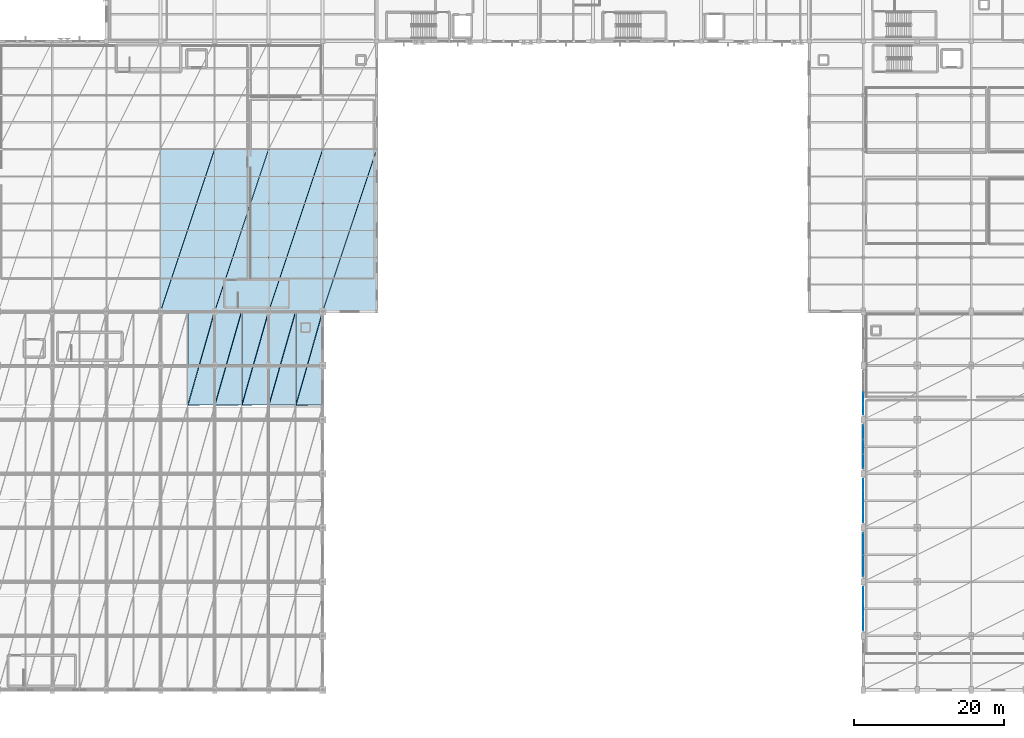
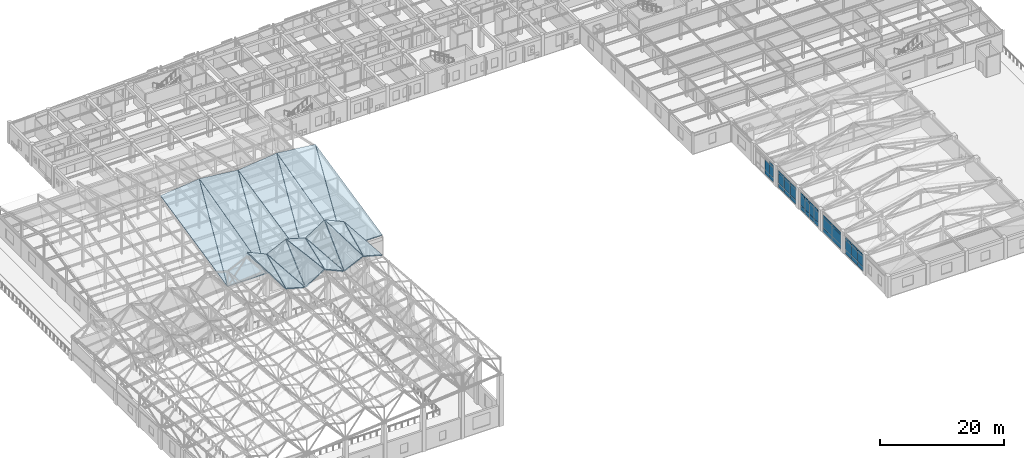
# One storey, part 67 of 113: 41 plates, 18 slabs, 5 elements without a shape of their own.
"""IFC4 building model written with IfcOpenShell, lengths in metres."""

from ifc_helpers import new_model, si_unit, direction, frame, origin, origin_2d, place, context, subcontext, project, spatial, polyline, rectangle, outline, extrude, material, layer, layer_set, type_object, element, aggregate, save


model = new_model("IFC4")

# Units and contexts
model_context = context("Model", 3, precision=1e-05, world=origin(), true_north=direction((0.0, 1.0)))
body_context = subcontext(model_context, "Body", "Model", "MODEL_VIEW")
ifc_project = project(units=[si_unit("LENGTHUNIT", "METRE"), si_unit("AREAUNIT", "SQUARE_METRE"), si_unit("VOLUMEUNIT", "CUBIC_METRE"), si_unit("PLANEANGLEUNIT", "RADIAN"), si_unit("MASSUNIT", "GRAM", prefix="KILO")], contexts=[model_context])

# Site, building, storey
site_placement = place(None, origin())
site = spatial("IfcSite", under=ifc_project, at=site_placement, CompositionType="ELEMENT")
building_placement = place(site_placement, origin())
building = spatial("IfcBuilding", under=site, at=building_placement, Name="Carrowvane Square Congress Hotel", CompositionType="ELEMENT")
storey_placement = place(building_placement, frame((0.0, 0.0, 15.0)))
storey = spatial("IfcBuildingStorey", under=building, at=storey_placement, Name="L03", CompositionType="ELEMENT", Elevation=15.0)

# Curtain wall, plates
ifc_material_1 = material(Name="Anodised aluminium", Category="aluminium")
ifc_layer_1 = layer(ifc_material_1, 0.221923828125)
ifc_layer_set_1 = layer_set([ifc_layer_1], Name="Anodised aluminium")
curtain_wall_type_1 = type_object("IfcCurtainWallType", Name="CW-SYS-6", PredefinedType="NOTDEFINED", material=ifc_layer_set_1)
curtain_wall_1_placement = place(storey_placement, origin())
curtain_wall_1 = element("IfcCurtainWall", 1, at=curtain_wall_1_placement, inside=storey, type_object=curtain_wall_type_1, Name="L03 unitised curtain wall 245", PredefinedType="NOTDEFINED")
ifc_material_2 = material(Name="Double-glazed low-E glass", Category="glass")
ifc_layer_2 = layer(ifc_material_2, 0.028076171875)
ifc_layer_set_2 = layer_set([ifc_layer_2], Name="Double-glazed low-E glass")
plate_type_1 = type_object("IfcPlateType", Name="CW-PAN-1", PredefinedType="CURTAIN_PANEL", material=ifc_layer_set_2)
plate_1_placement = place(storey_placement, frame((134.0, 35.87744140625, 0.070068359375), z_axis=(0.0, 0.0, 1.0), x_axis=(0.0, 1.0, 0.0)))
plate_1 = element("IfcPlate", 2, at=plate_1_placement, type_object=plate_type_1, Name="CW-6 panel 1.1", PredefinedType="CURTAIN_PANEL", context=body_context, shape_type="SweptSolid", body=[
    extrude(rectangle(XDim=1.8349609375, YDim=0.028076171875, at=origin_2d()), origin(), (0.0, 0.0, 1.0), 0.794921875),
])
plate_2_placement = place(storey_placement, frame((134.0, 35.87744140625, 0.93505859375), z_axis=(0.0, 0.0, 1.0), x_axis=(0.0, 1.0, 0.0)))
plate_2 = element("IfcPlate", 3, at=plate_2_placement, type_object=plate_type_1, Name="CW-6 panel 1.2", PredefinedType="CURTAIN_PANEL", context=body_context, shape_type="SweptSolid", body=[
    extrude(rectangle(XDim=1.8349609375, YDim=0.028076171875, at=origin_2d()), origin(), (0.0, 0.0, 1.0), 1.945068359375),
])
plate_3_placement = place(storey_placement, frame((134.0, 35.87744140625, 2.9501953125), z_axis=(0.0, 0.0, 1.0), x_axis=(0.0, 1.0, 0.0)))
plate_3 = element("IfcPlate", 4, at=plate_3_placement, type_object=plate_type_1, Name="CW-6 panel 1.3", PredefinedType="CURTAIN_PANEL", context=body_context, shape_type="SweptSolid", body=[
    extrude(rectangle(XDim=1.8349609375, YDim=0.028076171875, at=origin_2d()), origin(), (0.0, 0.0, 1.0), 0.445068359375),
])
plate_4_placement = place(storey_placement, frame((134.0, 37.800048828125, 0.070068359375), z_axis=(0.0, 0.0, 1.0), x_axis=(0.0, 1.0, 0.0)))
plate_4 = element("IfcPlate", 5, at=plate_4_placement, type_object=plate_type_1, Name="CW-6 panel 2.1", PredefinedType="CURTAIN_PANEL", context=body_context, shape_type="SweptSolid", body=[
    extrude(rectangle(XDim=1.8701171875, YDim=0.028076171875, at=origin_2d()), origin(), (0.0, 0.0, 1.0), 0.794921875),
])
plate_5_placement = place(storey_placement, frame((134.0, 37.800048828125, 0.93505859375), z_axis=(0.0, 0.0, 1.0), x_axis=(0.0, 1.0, 0.0)))
plate_5 = element("IfcPlate", 6, at=plate_5_placement, type_object=plate_type_1, Name="CW-6 panel 2.2", PredefinedType="CURTAIN_PANEL", context=body_context, shape_type="SweptSolid", body=[
    extrude(rectangle(XDim=1.8701171875, YDim=0.028076171875, at=origin_2d()), origin(), (0.0, 0.0, 1.0), 1.945068359375),
])
plate_6_placement = place(storey_placement, frame((134.0, 37.800048828125, 2.9501953125), z_axis=(0.0, 0.0, 1.0), x_axis=(0.0, 1.0, 0.0)))
plate_6 = element("IfcPlate", 7, at=plate_6_placement, type_object=plate_type_1, Name="CW-6 panel 2.3", PredefinedType="CURTAIN_PANEL", context=body_context, shape_type="SweptSolid", body=[
    extrude(rectangle(XDim=1.8701171875, YDim=0.028076171875, at=origin_2d()), origin(), (0.0, 0.0, 1.0), 0.445068359375),
])
plate_7_placement = place(storey_placement, frame((134.0, 39.722412109375, 0.070068359375), z_axis=(0.0, 0.0, 1.0), x_axis=(0.0, 1.0, 0.0)))
plate_7 = element("IfcPlate", 8, at=plate_7_placement, type_object=plate_type_1, Name="CW-6 panel 3.1", PredefinedType="CURTAIN_PANEL", context=body_context, shape_type="SweptSolid", body=[
    extrude(rectangle(XDim=1.8349609375, YDim=0.028076171875, at=origin_2d()), origin(), (0.0, 0.0, 1.0), 0.794921875),
])
plate_8_placement = place(storey_placement, frame((134.0, 39.722412109375, 0.93505859375), z_axis=(0.0, 0.0, 1.0), x_axis=(0.0, 1.0, 0.0)))
plate_8 = element("IfcPlate", 9, at=plate_8_placement, type_object=plate_type_1, Name="CW-6 panel 3.2", PredefinedType="CURTAIN_PANEL", context=body_context, shape_type="SweptSolid", body=[
    extrude(rectangle(XDim=1.8349609375, YDim=0.028076171875, at=origin_2d()), origin(), (0.0, 0.0, 1.0), 1.945068359375),
])
plate_9_placement = place(storey_placement, frame((134.0, 39.722412109375, 2.9501953125), z_axis=(0.0, 0.0, 1.0), x_axis=(0.0, 1.0, 0.0)))
plate_9 = element("IfcPlate", 10, at=plate_9_placement, type_object=plate_type_1, Name="CW-6 panel 3.3", PredefinedType="CURTAIN_PANEL", context=body_context, shape_type="SweptSolid", body=[
    extrude(rectangle(XDim=1.8349609375, YDim=0.028076171875, at=origin_2d()), origin(), (0.0, 0.0, 1.0), 0.445068359375),
])
aggregate(curtain_wall_1, [plate_1, plate_2, plate_3, plate_4, plate_5, plate_6, plate_7, plate_8, plate_9])

ifc_material_3 = material(Name="Anodised aluminium", Category="aluminium")
ifc_layer_3 = layer(ifc_material_3, 0.23388671875)
ifc_layer_set_3 = layer_set([ifc_layer_3], Name="Anodised aluminium")
curtain_wall_type_2 = type_object("IfcCurtainWallType", Name="CW-SYS-7", PredefinedType="NOTDEFINED", material=ifc_layer_set_3)
curtain_wall_2_placement = place(storey_placement, origin())
curtain_wall_2 = element("IfcCurtainWall", 11, at=curtain_wall_2_placement, inside=storey, type_object=curtain_wall_type_2, Name="L03 unitised curtain wall 246", PredefinedType="NOTDEFINED")
ifc_material_4 = material(Name="Double-glazed low-E glass", Category="glass")
ifc_layer_4 = layer(ifc_material_4, 0.031982421875)
ifc_layer_set_4 = layer_set([ifc_layer_4], Name="Double-glazed low-E glass")
plate_type_2 = type_object("IfcPlateType", Name="CW-PAN-2", PredefinedType="CURTAIN_PANEL", material=ifc_layer_set_4)
plate_10_placement = place(storey_placement, frame((134.0, 42.83251953125, 0.06005859375), z_axis=(0.0, 0.0, 1.0), x_axis=(0.0, 1.0, 0.0)))
plate_10 = element("IfcPlate", 12, at=plate_10_placement, type_object=plate_type_2, Name="CW-7 panel 1.1", PredefinedType="CURTAIN_PANEL", context=body_context, shape_type="SweptSolid", body=[
    extrude(rectangle(XDim=1.364990234375, YDim=0.031982421875, at=origin_2d()), origin(), (0.0, 0.0, 1.0), 0.81005859375),
])
plate_11_placement = place(storey_placement, frame((134.0, 42.83251953125, 0.929931640625), z_axis=(0.0, 0.0, 1.0), x_axis=(0.0, 1.0, 0.0)))
plate_11 = element("IfcPlate", 13, at=plate_11_placement, type_object=plate_type_2, Name="CW-7 panel 1.2", PredefinedType="CURTAIN_PANEL", context=body_context, shape_type="SweptSolid", body=[
    extrude(rectangle(XDim=1.364990234375, YDim=0.031982421875, at=origin_2d()), origin(), (0.0, 0.0, 1.0), 1.955078125),
])
plate_12_placement = place(storey_placement, frame((134.0, 42.83251953125, 2.945068359375), z_axis=(0.0, 0.0, 1.0), x_axis=(0.0, 1.0, 0.0)))
plate_12 = element("IfcPlate", 14, at=plate_12_placement, type_object=plate_type_2, Name="CW-7 panel 1.3", PredefinedType="CURTAIN_PANEL", context=body_context, shape_type="SweptSolid", body=[
    extrude(rectangle(XDim=1.364990234375, YDim=0.031982421875, at=origin_2d()), origin(), (0.0, 0.0, 1.0), 0.4599609375),
])
plate_13_placement = place(storey_placement, frame((134.0, 44.2724609375, 0.06005859375), z_axis=(0.0, 0.0, 1.0), x_axis=(0.0, 1.0, 0.0)))
plate_13 = element("IfcPlate", 15, at=plate_13_placement, type_object=plate_type_2, Name="CW-7 panel 2.1", PredefinedType="CURTAIN_PANEL", context=body_context, shape_type="SweptSolid", body=[
    extrude(rectangle(XDim=1.39501953125, YDim=0.031982421875, at=origin_2d()), origin(), (0.0, 0.0, 1.0), 0.81005859375),
])
plate_14_placement = place(storey_placement, frame((134.0, 44.2724609375, 0.929931640625), z_axis=(0.0, 0.0, 1.0), x_axis=(0.0, 1.0, 0.0)))
plate_14 = element("IfcPlate", 16, at=plate_14_placement, type_object=plate_type_2, Name="CW-7 panel 2.2", PredefinedType="CURTAIN_PANEL", context=body_context, shape_type="SweptSolid", body=[
    extrude(rectangle(XDim=1.39501953125, YDim=0.031982421875, at=origin_2d()), origin(), (0.0, 0.0, 1.0), 1.955078125),
])
aggregate(curtain_wall_2, [plate_10, plate_11, plate_12, plate_13, plate_14])

ifc_material_5 = material(Name="Anodised aluminium", Category="aluminium")
ifc_layer_5 = layer(ifc_material_5, 0.18603515625)
ifc_layer_set_5 = layer_set([ifc_layer_5], Name="Anodised aluminium")
curtain_wall_type_3 = type_object("IfcCurtainWallType", Name="CW-SYS-3", PredefinedType="NOTDEFINED", material=ifc_layer_set_5)
curtain_wall_3_placement = place(storey_placement, origin())
curtain_wall_3 = element("IfcCurtainWall", 17, at=curtain_wall_3_placement, inside=storey, type_object=curtain_wall_type_3, Name="L03 unitised curtain wall 242", PredefinedType="NOTDEFINED")
ifc_material_6 = material(Name="Double-glazed low-E glass", Category="glass")
ifc_layer_6 = layer(ifc_material_6, 0.035888671875)
ifc_layer_set_6 = layer_set([ifc_layer_6], Name="Double-glazed low-E glass")
plate_type_3 = type_object("IfcPlateType", Name="CW-PAN-3", PredefinedType="CURTAIN_PANEL", material=ifc_layer_set_6)
plate_15_placement = place(storey_placement, frame((134.0, 14.27490234375, 0.06005859375), z_axis=(0.0, 0.0, 1.0), x_axis=(0.0, 1.0, 0.0)))
plate_15 = element("IfcPlate", 18, at=plate_15_placement, type_object=plate_type_3, Name="CW-3 panel 1.1", PredefinedType="CURTAIN_PANEL", context=body_context, shape_type="SweptSolid", body=[
    extrude(rectangle(XDim=1.85009765625, YDim=0.035888671875, at=origin_2d()), origin(), (0.0, 0.0, 1.0), 0.81005859375),
])
plate_16_placement = place(storey_placement, frame((134.0, 14.27490234375, 0.929931640625), z_axis=(0.0, 0.0, 1.0), x_axis=(0.0, 1.0, 0.0)))
plate_16 = element("IfcPlate", 19, at=plate_16_placement, type_object=plate_type_3, Name="CW-3 panel 1.2", PredefinedType="CURTAIN_PANEL", context=body_context, shape_type="SweptSolid", body=[
    extrude(rectangle(XDim=1.85009765625, YDim=0.035888671875, at=origin_2d()), origin(), (0.0, 0.0, 1.0), 1.955078125),
])
plate_17_placement = place(storey_placement, frame((134.0, 14.27490234375, 2.945068359375), z_axis=(0.0, 0.0, 1.0), x_axis=(0.0, 1.0, 0.0)))
plate_17 = element("IfcPlate", 20, at=plate_17_placement, type_object=plate_type_3, Name="CW-3 panel 1.3", PredefinedType="CURTAIN_PANEL", context=body_context, shape_type="SweptSolid", body=[
    extrude(rectangle(XDim=1.85009765625, YDim=0.035888671875, at=origin_2d()), origin(), (0.0, 0.0, 1.0), 0.4599609375),
])
plate_18_placement = place(storey_placement, frame((134.0, 16.199951171875, 0.06005859375), z_axis=(0.0, 0.0, 1.0), x_axis=(0.0, 1.0, 0.0)))
plate_18 = element("IfcPlate", 21, at=plate_18_placement, type_object=plate_type_3, Name="CW-3 panel 2.1", PredefinedType="CURTAIN_PANEL", context=body_context, shape_type="SweptSolid", body=[
    extrude(rectangle(XDim=1.8798828125, YDim=0.035888671875, at=origin_2d()), origin(), (0.0, 0.0, 1.0), 0.81005859375),
])
plate_19_placement = place(storey_placement, frame((134.0, 16.199951171875, 0.929931640625), z_axis=(0.0, 0.0, 1.0), x_axis=(0.0, 1.0, 0.0)))
plate_19 = element("IfcPlate", 22, at=plate_19_placement, type_object=plate_type_3, Name="CW-3 panel 2.2", PredefinedType="CURTAIN_PANEL", context=body_context, shape_type="SweptSolid", body=[
    extrude(rectangle(XDim=1.8798828125, YDim=0.035888671875, at=origin_2d()), origin(), (0.0, 0.0, 1.0), 1.955078125),
])
plate_20_placement = place(storey_placement, frame((134.0, 16.199951171875, 2.945068359375), z_axis=(0.0, 0.0, 1.0), x_axis=(0.0, 1.0, 0.0)))
plate_20 = element("IfcPlate", 23, at=plate_20_placement, type_object=plate_type_3, Name="CW-3 panel 2.3", PredefinedType="CURTAIN_PANEL", context=body_context, shape_type="SweptSolid", body=[
    extrude(rectangle(XDim=1.8798828125, YDim=0.035888671875, at=origin_2d()), origin(), (0.0, 0.0, 1.0), 0.4599609375),
])
plate_21_placement = place(storey_placement, frame((134.0, 18.125, 0.06005859375), z_axis=(0.0, 0.0, 1.0), x_axis=(0.0, 1.0, 0.0)))
plate_21 = element("IfcPlate", 24, at=plate_21_placement, type_object=plate_type_3, Name="CW-3 panel 3.1", PredefinedType="CURTAIN_PANEL", context=body_context, shape_type="SweptSolid", body=[
    extrude(rectangle(XDim=1.85009765625, YDim=0.035888671875, at=origin_2d()), origin(), (0.0, 0.0, 1.0), 0.81005859375),
])
plate_22_placement = place(storey_placement, frame((134.0, 18.125, 0.929931640625), z_axis=(0.0, 0.0, 1.0), x_axis=(0.0, 1.0, 0.0)))
plate_22 = element("IfcPlate", 25, at=plate_22_placement, type_object=plate_type_3, Name="CW-3 panel 3.2", PredefinedType="CURTAIN_PANEL", context=body_context, shape_type="SweptSolid", body=[
    extrude(rectangle(XDim=1.85009765625, YDim=0.035888671875, at=origin_2d()), origin(), (0.0, 0.0, 1.0), 1.955078125),
])
plate_23_placement = place(storey_placement, frame((134.0, 18.125, 2.945068359375), z_axis=(0.0, 0.0, 1.0), x_axis=(0.0, 1.0, 0.0)))
plate_23 = element("IfcPlate", 26, at=plate_23_placement, type_object=plate_type_3, Name="CW-3 panel 3.3", PredefinedType="CURTAIN_PANEL", context=body_context, shape_type="SweptSolid", body=[
    extrude(rectangle(XDim=1.85009765625, YDim=0.035888671875, at=origin_2d()), origin(), (0.0, 0.0, 1.0), 0.4599609375),
])
aggregate(curtain_wall_3, [plate_15, plate_16, plate_17, plate_18, plate_19, plate_20, plate_21, plate_22, plate_23])

ifc_material_7 = material(Name="Anodised aluminium", Category="aluminium")
ifc_layer_7 = layer(ifc_material_7, 0.197998046875)
ifc_layer_set_7 = layer_set([ifc_layer_7], Name="Anodised aluminium")
curtain_wall_type_4 = type_object("IfcCurtainWallType", Name="CW-SYS-4", PredefinedType="NOTDEFINED", material=ifc_layer_set_7)
curtain_wall_4_placement = place(storey_placement, origin())
curtain_wall_4 = element("IfcCurtainWall", 27, at=curtain_wall_4_placement, inside=storey, type_object=curtain_wall_type_4, Name="L03 unitised curtain wall 243", PredefinedType="NOTDEFINED")
ifc_material_8 = material(Name="Double-glazed low-E glass", Category="glass")
ifc_layer_8 = layer(ifc_material_8, 0.0419921875)
ifc_layer_set_8 = layer_set([ifc_layer_8], Name="Double-glazed low-E glass")
plate_type_4 = type_object("IfcPlateType", Name="CW-PAN-4", PredefinedType="CURTAIN_PANEL", material=ifc_layer_set_8)
plate_24_placement = place(storey_placement, frame((134.0, 21.96240234375, 0.070068359375), z_axis=(0.0, 0.0, 1.0), x_axis=(0.0, 1.0, 0.0)))
plate_24 = element("IfcPlate", 28, at=plate_24_placement, type_object=plate_type_4, Name="CW-4 panel 1.1", PredefinedType="CURTAIN_PANEL", context=body_context, shape_type="SweptSolid", body=[
    extrude(rectangle(XDim=2.804931640625, YDim=0.0419921875, at=origin_2d()), origin(), (0.0, 0.0, 1.0), 0.794921875),
])
plate_25_placement = place(storey_placement, frame((134.0, 21.96240234375, 0.93505859375), z_axis=(0.0, 0.0, 1.0), x_axis=(0.0, 1.0, 0.0)))
plate_25 = element("IfcPlate", 29, at=plate_25_placement, type_object=plate_type_4, Name="CW-4 panel 1.2", PredefinedType="CURTAIN_PANEL", context=body_context, shape_type="SweptSolid", body=[
    extrude(rectangle(XDim=2.804931640625, YDim=0.0419921875, at=origin_2d()), origin(), (0.0, 0.0, 1.0), 1.945068359375),
])
plate_26_placement = place(storey_placement, frame((134.0, 21.96240234375, 2.9501953125), z_axis=(0.0, 0.0, 1.0), x_axis=(0.0, 1.0, 0.0)))
plate_26 = element("IfcPlate", 30, at=plate_26_placement, type_object=plate_type_4, Name="CW-4 panel 1.3", PredefinedType="CURTAIN_PANEL", context=body_context, shape_type="SweptSolid", body=[
    extrude(rectangle(XDim=2.804931640625, YDim=0.0419921875, at=origin_2d()), origin(), (0.0, 0.0, 1.0), 0.445068359375),
])
plate_27_placement = place(storey_placement, frame((134.0, 24.83740234375, 0.070068359375), z_axis=(0.0, 0.0, 1.0), x_axis=(0.0, 1.0, 0.0)))
plate_27 = element("IfcPlate", 31, at=plate_27_placement, type_object=plate_type_4, Name="CW-4 panel 2.1", PredefinedType="CURTAIN_PANEL", context=body_context, shape_type="SweptSolid", body=[
    extrude(rectangle(XDim=2.804931640625, YDim=0.0419921875, at=origin_2d()), origin(), (0.0, 0.0, 1.0), 0.794921875),
])
plate_28_placement = place(storey_placement, frame((134.0, 24.83740234375, 0.93505859375), z_axis=(0.0, 0.0, 1.0), x_axis=(0.0, 1.0, 0.0)))
plate_28 = element("IfcPlate", 32, at=plate_28_placement, type_object=plate_type_4, Name="CW-4 panel 2.2", PredefinedType="CURTAIN_PANEL", context=body_context, shape_type="SweptSolid", body=[
    extrude(rectangle(XDim=2.804931640625, YDim=0.0419921875, at=origin_2d()), origin(), (0.0, 0.0, 1.0), 1.945068359375),
])
plate_29_placement = place(storey_placement, frame((134.0, 24.83740234375, 2.9501953125), z_axis=(0.0, 0.0, 1.0), x_axis=(0.0, 1.0, 0.0)))
plate_29 = element("IfcPlate", 33, at=plate_29_placement, type_object=plate_type_4, Name="CW-4 panel 2.3", PredefinedType="CURTAIN_PANEL", context=body_context, shape_type="SweptSolid", body=[
    extrude(rectangle(XDim=2.804931640625, YDim=0.0419921875, at=origin_2d()), origin(), (0.0, 0.0, 1.0), 0.445068359375),
])
aggregate(curtain_wall_4, [plate_24, plate_25, plate_26, plate_27, plate_28, plate_29])

ifc_material_9 = material(Name="Anodised aluminium", Category="aluminium")
ifc_layer_9 = layer(ifc_material_9, 0.2099609375)
ifc_layer_set_9 = layer_set([ifc_layer_9], Name="Anodised aluminium")
curtain_wall_type_5 = type_object("IfcCurtainWallType", Name="CW-SYS-5", PredefinedType="NOTDEFINED", material=ifc_layer_set_9)
curtain_wall_5_placement = place(storey_placement, origin())
curtain_wall_5 = element("IfcCurtainWall", 34, at=curtain_wall_5_placement, inside=storey, type_object=curtain_wall_type_5, Name="L03 unitised curtain wall 244", PredefinedType="NOTDEFINED")
ifc_material_10 = material(Name="Double-glazed low-E glass", Category="glass")
ifc_layer_10 = layer(ifc_material_10, 0.048095703125)
ifc_layer_set_10 = layer_set([ifc_layer_10], Name="Double-glazed low-E glass")
plate_type_5 = type_object("IfcPlateType", Name="CW-PAN-5", PredefinedType="CURTAIN_PANEL", material=ifc_layer_set_10)
plate_30_placement = place(storey_placement, frame((134.0, 28.4326171875, 0.06005859375), z_axis=(0.0, 0.0, 1.0), x_axis=(0.0, 1.0, 0.0)))
plate_30 = element("IfcPlate", 35, at=plate_30_placement, type_object=plate_type_5, Name="CW-5 panel 1.1", PredefinedType="CURTAIN_PANEL", context=body_context, shape_type="SweptSolid", body=[
    extrude(rectangle(XDim=1.364990234375, YDim=0.048095703125, at=origin_2d()), origin(), (0.0, 0.0, 1.0), 0.81005859375),
])
plate_31_placement = place(storey_placement, frame((134.0, 28.4326171875, 0.929931640625), z_axis=(0.0, 0.0, 1.0), x_axis=(0.0, 1.0, 0.0)))
plate_31 = element("IfcPlate", 36, at=plate_31_placement, type_object=plate_type_5, Name="CW-5 panel 1.2", PredefinedType="CURTAIN_PANEL", context=body_context, shape_type="SweptSolid", body=[
    extrude(rectangle(XDim=1.364990234375, YDim=0.048095703125, at=origin_2d()), origin(), (0.0, 0.0, 1.0), 1.955078125),
])
plate_32_placement = place(storey_placement, frame((134.0, 28.4326171875, 2.945068359375), z_axis=(0.0, 0.0, 1.0), x_axis=(0.0, 1.0, 0.0)))
plate_32 = element("IfcPlate", 37, at=plate_32_placement, type_object=plate_type_5, Name="CW-5 panel 1.3", PredefinedType="CURTAIN_PANEL", context=body_context, shape_type="SweptSolid", body=[
    extrude(rectangle(XDim=1.364990234375, YDim=0.048095703125, at=origin_2d()), origin(), (0.0, 0.0, 1.0), 0.4599609375),
])
plate_33_placement = place(storey_placement, frame((134.0, 29.87255859375, 0.06005859375), z_axis=(0.0, 0.0, 1.0), x_axis=(0.0, 1.0, 0.0)))
plate_33 = element("IfcPlate", 38, at=plate_33_placement, type_object=plate_type_5, Name="CW-5 panel 2.1", PredefinedType="CURTAIN_PANEL", context=body_context, shape_type="SweptSolid", body=[
    extrude(rectangle(XDim=1.39501953125, YDim=0.048095703125, at=origin_2d()), origin(), (0.0, 0.0, 1.0), 0.81005859375),
])
plate_34_placement = place(storey_placement, frame((134.0, 29.87255859375, 0.929931640625), z_axis=(0.0, 0.0, 1.0), x_axis=(0.0, 1.0, 0.0)))
plate_34 = element("IfcPlate", 39, at=plate_34_placement, type_object=plate_type_5, Name="CW-5 panel 2.2", PredefinedType="CURTAIN_PANEL", context=body_context, shape_type="SweptSolid", body=[
    extrude(rectangle(XDim=1.39501953125, YDim=0.048095703125, at=origin_2d()), origin(), (0.0, 0.0, 1.0), 1.955078125),
])
plate_35_placement = place(storey_placement, frame((134.0, 29.87255859375, 2.945068359375), z_axis=(0.0, 0.0, 1.0), x_axis=(0.0, 1.0, 0.0)))
plate_35 = element("IfcPlate", 40, at=plate_35_placement, type_object=plate_type_5, Name="CW-5 panel 2.3", PredefinedType="CURTAIN_PANEL", context=body_context, shape_type="SweptSolid", body=[
    extrude(rectangle(XDim=1.39501953125, YDim=0.048095703125, at=origin_2d()), origin(), (0.0, 0.0, 1.0), 0.4599609375),
])
plate_36_placement = place(storey_placement, frame((134.0, 31.327392578125, 0.06005859375), z_axis=(0.0, 0.0, 1.0), x_axis=(0.0, 1.0, 0.0)))
plate_36 = element("IfcPlate", 41, at=plate_36_placement, type_object=plate_type_5, Name="CW-5 panel 3.1", PredefinedType="CURTAIN_PANEL", context=body_context, shape_type="SweptSolid", body=[
    extrude(rectangle(XDim=1.39501953125, YDim=0.048095703125, at=origin_2d()), origin(), (0.0, 0.0, 1.0), 0.81005859375),
])
plate_37_placement = place(storey_placement, frame((134.0, 31.327392578125, 0.929931640625), z_axis=(0.0, 0.0, 1.0), x_axis=(0.0, 1.0, 0.0)))
plate_37 = element("IfcPlate", 42, at=plate_37_placement, type_object=plate_type_5, Name="CW-5 panel 3.2", PredefinedType="CURTAIN_PANEL", context=body_context, shape_type="SweptSolid", body=[
    extrude(rectangle(XDim=1.39501953125, YDim=0.048095703125, at=origin_2d()), origin(), (0.0, 0.0, 1.0), 1.955078125),
])
plate_38_placement = place(storey_placement, frame((134.0, 31.327392578125, 2.945068359375), z_axis=(0.0, 0.0, 1.0), x_axis=(0.0, 1.0, 0.0)))
plate_38 = element("IfcPlate", 43, at=plate_38_placement, type_object=plate_type_5, Name="CW-5 panel 3.3", PredefinedType="CURTAIN_PANEL", context=body_context, shape_type="SweptSolid", body=[
    extrude(rectangle(XDim=1.39501953125, YDim=0.048095703125, at=origin_2d()), origin(), (0.0, 0.0, 1.0), 0.4599609375),
])
plate_39_placement = place(storey_placement, frame((134.0, 32.767578125, 0.06005859375), z_axis=(0.0, 0.0, 1.0), x_axis=(0.0, 1.0, 0.0)))
plate_39 = element("IfcPlate", 44, at=plate_39_placement, type_object=plate_type_5, Name="CW-5 panel 4.1", PredefinedType="CURTAIN_PANEL", context=body_context, shape_type="SweptSolid", body=[
    extrude(rectangle(XDim=1.364990234375, YDim=0.048095703125, at=origin_2d()), origin(), (0.0, 0.0, 1.0), 0.81005859375),
])
plate_40_placement = place(storey_placement, frame((134.0, 32.767578125, 0.929931640625), z_axis=(0.0, 0.0, 1.0), x_axis=(0.0, 1.0, 0.0)))
plate_40 = element("IfcPlate", 45, at=plate_40_placement, type_object=plate_type_5, Name="CW-5 panel 4.2", PredefinedType="CURTAIN_PANEL", context=body_context, shape_type="SweptSolid", body=[
    extrude(rectangle(XDim=1.364990234375, YDim=0.048095703125, at=origin_2d()), origin(), (0.0, 0.0, 1.0), 1.955078125),
])
plate_41_placement = place(storey_placement, frame((134.0, 32.767578125, 2.945068359375), z_axis=(0.0, 0.0, 1.0), x_axis=(0.0, 1.0, 0.0)))
plate_41 = element("IfcPlate", 46, at=plate_41_placement, type_object=plate_type_5, Name="CW-5 panel 4.3", PredefinedType="CURTAIN_PANEL", context=body_context, shape_type="SweptSolid", body=[
    extrude(rectangle(XDim=1.364990234375, YDim=0.048095703125, at=origin_2d()), origin(), (0.0, 0.0, 1.0), 0.4599609375),
])
aggregate(curtain_wall_5, [plate_30, plate_31, plate_32, plate_33, plate_34, plate_35, plate_36, plate_37, plate_38, plate_39, plate_40, plate_41])

# Slabs
ifc_material_11 = material(Name="Concrete C35/45", Category="concrete")
ifc_layer_11 = layer(ifc_material_11, 0.179931640625)
ifc_layer_set_11 = layer_set([ifc_layer_11], Name="Concrete C35/45")
slab_type_1 = type_object("IfcSlabType", Name="SLB-ROOF-180", PredefinedType="ROOF", material=ifc_layer_set_11)
slab_1_placement = place(storey_placement, frame((44.072021484375, 43.325927734375, 10.07666015625), z_axis=(0.272163035949, 0.076115657988, 0.959235992064), x_axis=(0.961943040653, 0.003703147423, -0.273224949882)))
element("IfcSlab", 47, at=slab_1_placement, inside=storey, type_object=slab_type_1, Name="Congress Hall triangular folded roof facet 79", PredefinedType="ROOF", context=body_context, shape_type="SweptSolid", body=[
    extrude(outline(polyline([(0.0, 0.0), (3.6260328958842347, 1.3877787807814457e-17), (3.958988604411846, 12.351823323029821), (0.0, 0.0)])), origin(), (0.0, 0.0, -1.0), 0.179931640625),
])
slab_2_placement = place(storey_placement, frame((44.0205078125, 43.343505859375, 10.09326171875), z_axis=(0.410492827908, 0.028929866933, 0.911404795376), x_axis=(0.27042851675, 0.950669079624, -0.151976045398)))
element("IfcSlab", 48, at=slab_2_placement, inside=storey, type_object=slab_type_1, Name="Congress Hall triangular folded roof facet 80", PredefinedType="ROOF", context=body_context, shape_type="SweptSolid", body=[
    extrude(outline(polyline([(0.0, 0.0), (12.970408600144543, -3.3306690738754696e-16), (11.775477142398383, 3.6345758766278315), (0.0, 0.0)])), origin(), (0.0, 0.0, -1.0), 0.179931640625),
])
slab_3_placement = place(storey_placement, frame((47.671875, 43.325927734375, 9.115234375), z_axis=(-0.531743494383, 0.106679020201, 0.840159772204), x_axis=(0.845163801275, 0.003253360097, 0.534497487985)))
element("IfcSlab", 49, at=slab_3_placement, inside=storey, type_object=slab_type_1, Name="Congress Hall triangular folded roof facet 93", PredefinedType="ROOF", context=body_context, shape_type="SweptSolid", body=[
    extrude(outline(polyline([(0.0, 0.0), (4.127343415248207, -2.7755575615628914e-17), (3.3543056166493694, 12.390425413414137), (0.0, 0.0)])), origin(), (0.0, 0.0, -1.0), 0.179931640625),
])
slab_4_placement = place(storey_placement, frame((47.62060546875, 43.343505859375, 9.083984375), z_axis=(-0.421516409048, 0.071758360682, 0.903977131666), x_axis=(0.273248365457, 0.960582024485, 0.051161557951)))
element("IfcSlab", 50, at=slab_4_placement, inside=storey, type_object=slab_type_1, Name="Congress Hall triangular folded roof facet 94", PredefinedType="ROOF", context=body_context, shape_type="SweptSolid", body=[
    extrude(outline(polyline([(0.0, 0.0), (12.836557516121248, 3.885780586188048e-16), (11.787329413134696, 3.702650256712931), (0.0, 0.0)])), origin(), (0.0, 0.0, -1.0), 0.179931640625),
])
slab_5_placement = place(storey_placement, frame((51.27197265625, 43.325927734375, 11.32177734375), z_axis=(0.409560661072, 0.072183156665, 0.909422705235), x_axis=(0.911691296801, 0.003509449981, -0.410860880466)))
element("IfcSlab", 51, at=slab_5_placement, inside=storey, type_object=slab_type_1, Name="Congress Hall triangular folded roof facet 95", PredefinedType="ROOF", context=body_context, shape_type="SweptSolid", body=[
    extrude(outline(polyline([(0.0, 0.0), (3.826164911564658, -1.3877787807814457e-17), (4.292218825262692, 12.347789841687437), (0.0, 0.0)])), origin(), (0.0, 0.0, -1.0), 0.179931640625),
])
slab_6_placement = place(storey_placement, frame((51.220458984375, 43.343505859375, 11.34033203125), z_axis=(0.27094655846, 0.121262482228, 0.954925846787), x_axis=(0.268305149192, 0.943204556628, -0.195901789867)))
element("IfcSlab", 52, at=slab_6_placement, inside=storey, type_object=slab_type_1, Name="Congress Hall triangular folded roof facet 96", PredefinedType="ROOF", context=body_context, shape_type="SweptSolid", body=[
    extrude(outline(polyline([(0.0, 0.0), (13.073056443165006, -3.3306690738754696e-16), (11.93023969733589, 3.4416913633480273), (0.0, 0.0)])), origin(), (0.0, 0.0, -1.0), 0.179931640625),
])
slab_7_placement = place(storey_placement, frame((54.871826171875, 43.325927734375, 9.7724609375), z_axis=(-0.422398728292, 0.028764283915, 0.905953602735), x_axis=(0.90636552621, 0.003488949044, 0.422480011517)))
element("IfcSlab", 53, at=slab_7_placement, inside=storey, type_object=slab_type_1, Name="Congress Hall triangular folded roof facet 109", PredefinedType="ROOF", context=body_context, shape_type="SweptSolid", body=[
    extrude(outline(polyline([(0.0, 0.0), (3.8486473162594836, 0.0), (3.747681160685219, 12.322664812300758), (0.0, 0.0)])), origin(), (0.0, 0.0, -1.0), 0.179931640625),
])
slab_8_placement = place(storey_placement, frame((54.820556640625, 43.343505859375, 9.744384765625), z_axis=(-0.533612892254, 0.066910177212, 0.843077878613), x_axis=(0.272332716068, 0.957363134805, 0.0963883804)))
element("IfcSlab", 54, at=slab_8_placement, inside=storey, type_object=slab_type_1, Name="Congress Hall triangular folded roof facet 110", PredefinedType="ROOF", context=body_context, shape_type="SweptSolid", body=[
    extrude(outline(polyline([(0.0, 0.0), (12.87971717102639, 1.1102230246251565e-16), (11.70418021056957, 3.956805350766654), (0.0, 0.0)])), origin(), (0.0, 0.0, -1.0), 0.179931640625),
])
slab_9_placement = place(storey_placement, frame((58.471923828125, 43.325927734375, 11.39111328125), z_axis=(0.272207431351, 0.076119950617, 0.959223054058), x_axis=(0.961930371784, 0.003702839477, -0.273269553406)))
element("IfcSlab", 55, at=slab_9_placement, inside=storey, type_object=slab_type_1, Name="Congress Hall triangular folded roof facet 111", PredefinedType="ROOF", context=body_context, shape_type="SweptSolid", body=[
    extrude(outline(polyline([(0.0, 0.0), (3.626334454467859, 0.0), (3.9590951175152873, 12.351828195501033), (0.0, 0.0)])), origin(), (0.0, 0.0, -1.0), 0.179931640625),
])
slab_10_placement = place(storey_placement, frame((58.42041015625, 43.343505859375, 11.40771484375), z_axis=(0.410516568919, 0.028939400964, 0.911393799471), x_axis=(0.270427743109, 0.950666359956, -0.151994433466)))
element("IfcSlab", 56, at=slab_10_placement, inside=storey, type_object=slab_type_1, Name="Congress Hall triangular folded roof facet 112", PredefinedType="ROOF", context=body_context, shape_type="SweptSolid", body=[
    extrude(outline(polyline([(0.0, 0.0), (12.970445705915893, 1.1102230246251565e-16), (11.775554108302392, 3.634354668837996), (0.0, 0.0)])), origin(), (0.0, 0.0, -1.0), 0.179931640625),
])
ifc_material_12 = material(Name="Concrete C35/45", Category="concrete")
ifc_layer_12 = layer(ifc_material_12, 0.199951171875)
ifc_layer_set_12 = layer_set([ifc_layer_12], Name="Concrete C35/45")
slab_type_2 = type_object("IfcSlabType", Name="SLB-ROOF-200", PredefinedType="ROOF", material=ifc_layer_set_12)
slab_11_placement = place(storey_placement, frame((40.427734375, 55.841552734375, 4.210693359375), z_axis=(5.184208e-06, -0.248490448335, 0.968634346417), x_axis=(0.999999643876, 0.000818749069, 0.000204687267)))
element("IfcSlab", 57, at=slab_11_placement, inside=storey, type_object=slab_type_2, Name="Thermal Spa folded triangle roof 13", PredefinedType="ROOF", context=body_context, shape_type="SweptSolid", body=[
    extrude(outline(polyline([(0.0, 0.0), (7.156496689221799, -2.168404344971009e-19), (7.182799877574587, 22.199460563508783), (0.0, 0.0)])), origin(), (0.0, 0.0, -1.0), 0.199951171875),
])
slab_12_placement = place(storey_placement, frame((40.408203125, 55.849365234375, 4.211669921875), z_axis=(-0.10788494204, -0.213151467153, 0.971044433243), x_axis=(0.307042859065, 0.921850563199, 0.236466111369)))
element("IfcSlab", 58, at=slab_12_placement, inside=storey, type_object=slab_type_2, Name="Thermal Spa folded triangle roof 14", PredefinedType="ROOF", context=body_context, shape_type="SweptSolid", body=[
    extrude(outline(polyline([(0.0, 0.0), (23.33245111710682, 5.273559366969494e-16), (20.941380756611924, 6.792087827320812), (0.0, 0.0)])), origin(), (0.0, 0.0, -1.0), 0.199951171875),
])
slab_13_placement = place(storey_placement, frame((47.627685546875, 55.841552734375, 4.209228515625), z_axis=(8.930999e-06, -0.214396975976, 0.976746608191), x_axis=(0.999999650277, 0.000818749074, 0.000170572724)))
element("IfcSlab", 59, at=slab_13_placement, inside=storey, type_object=slab_type_2, Name="Thermal Spa folded triangle roof 17", PredefinedType="ROOF", context=body_context, shape_type="SweptSolid", body=[
    extrude(outline(polyline([(0.0, 0.0), (7.156496643413694, -9.215718466126788e-19), (7.182475802060938, 22.015085520712788), (0.0, 0.0)])), origin(), (0.0, 0.0, -1.0), 0.199951171875),
])
slab_14_placement = place(storey_placement, frame((47.608154296875, 55.849365234375, 4.211669921875), z_axis=(0.10701303705, -0.247068080793, 0.96307090775), x_axis=(0.30936567334, 0.928824467929, 0.203906811889)))
element("IfcSlab", 60, at=slab_14_placement, inside=storey, type_object=slab_type_2, Name="Thermal Spa folded triangle roof 18", PredefinedType="ROOF", context=body_context, shape_type="SweptSolid", body=[
    extrude(outline(polyline([(0.0, 0.0), (23.1572637735043, 4.440892098500626e-16), (21.09968888961947, 6.900129699108375), (0.0, 0.0)])), origin(), (0.0, 0.0, -1.0), 0.199951171875),
])
slab_15_placement = place(storey_placement, frame((54.82763671875, 55.841552734375, 4.210693359375), z_axis=(5.184208e-06, -0.248490448335, 0.968634346417), x_axis=(0.999999643876, 0.000818749069, 0.000204687267)))
element("IfcSlab", 61, at=slab_15_placement, inside=storey, type_object=slab_type_2, Name="Thermal Spa folded triangle roof 21", PredefinedType="ROOF", context=body_context, shape_type="SweptSolid", body=[
    extrude(outline(polyline([(0.0, 0.0), (7.156496689221799, -2.168404344971009e-19), (7.182799877574587, 22.199460563508783), (0.0, 0.0)])), origin(), (0.0, 0.0, -1.0), 0.199951171875),
])
slab_16_placement = place(storey_placement, frame((54.80810546875, 55.849365234375, 4.211669921875), z_axis=(-0.107888608963, -0.213150211971, 0.971044301354), x_axis=(0.307042859065, 0.921850563199, 0.236466111369)))
element("IfcSlab", 62, at=slab_16_placement, inside=storey, type_object=slab_type_2, Name="Thermal Spa folded triangle roof 22", PredefinedType="ROOF", context=body_context, shape_type="SweptSolid", body=[
    extrude(outline(polyline([(0.0, 0.0), (23.33245111710682, 8.604228440844963e-16), (20.94145571824744, 6.7918569775290525), (0.0, 0.0)])), origin(), (0.0, 0.0, -1.0), 0.199951171875),
])
slab_17_placement = place(storey_placement, frame((62.02783203125, 55.841552734375, 4.209228515625), z_axis=(8.931304e-06, -0.214396976073, 0.97674660817), x_axis=(0.999999650254, 0.000818777006, 0.000170578543)))
element("IfcSlab", 63, at=slab_17_placement, inside=storey, type_object=slab_type_2, Name="Thermal Spa folded triangle roof 25", PredefinedType="ROOF", context=body_context, shape_type="SweptSolid", body=[
    extrude(outline(polyline([(0.0, 0.0), (7.156252502874078, -1.6263032587282567e-19), (7.182476430158087, 22.01508531579454), (0.0, 0.0)])), origin(), (0.0, 0.0, -1.0), 0.199951171875),
])
slab_18_placement = place(storey_placement, frame((62.00830078125, 55.849365234375, 4.211669921875), z_axis=(0.10701303705, -0.247068080793, 0.96307090775), x_axis=(0.30936567334, 0.928824467929, 0.203906811889)))
element("IfcSlab", 64, at=slab_18_placement, inside=storey, type_object=slab_type_2, Name="Thermal Spa folded triangle roof 26", PredefinedType="ROOF", context=body_context, shape_type="SweptSolid", body=[
    extrude(outline(polyline([(0.0, 0.0), (23.1572637735043, 4.440892098500626e-16), (21.09968888961947, 6.900129699108375), (0.0, 0.0)])), origin(), (0.0, 0.0, -1.0), 0.199951171875),
])

save(model, "model.ifc")
